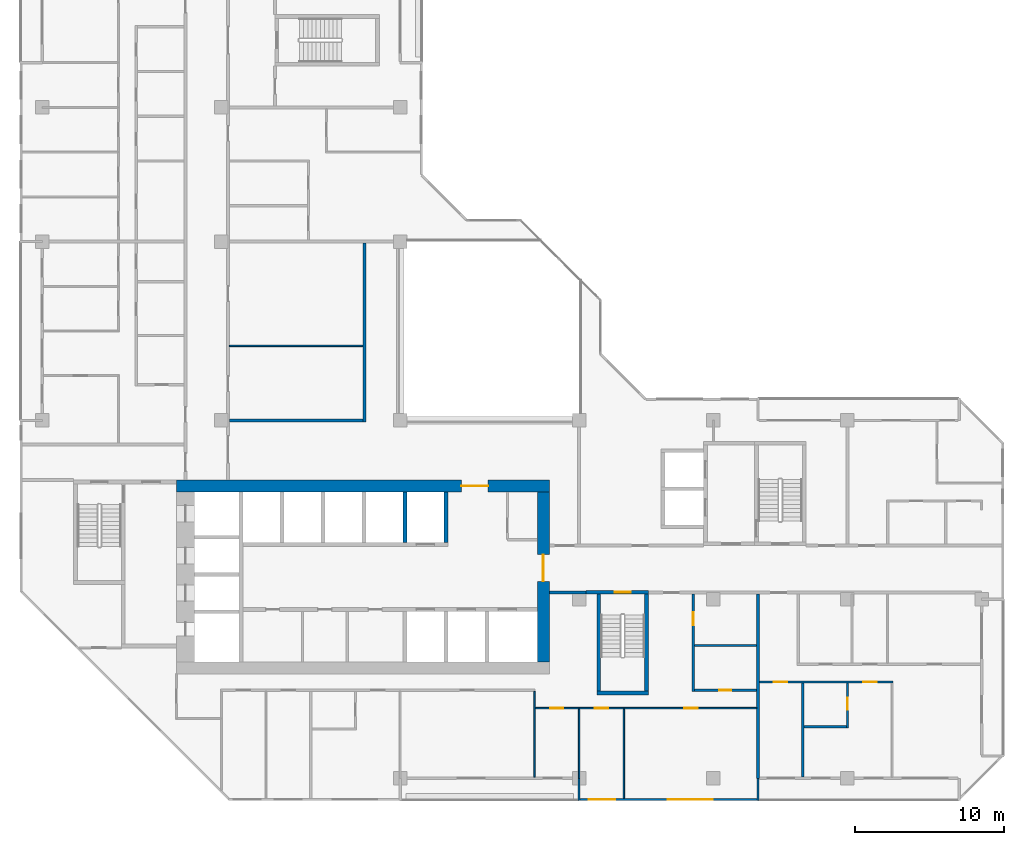
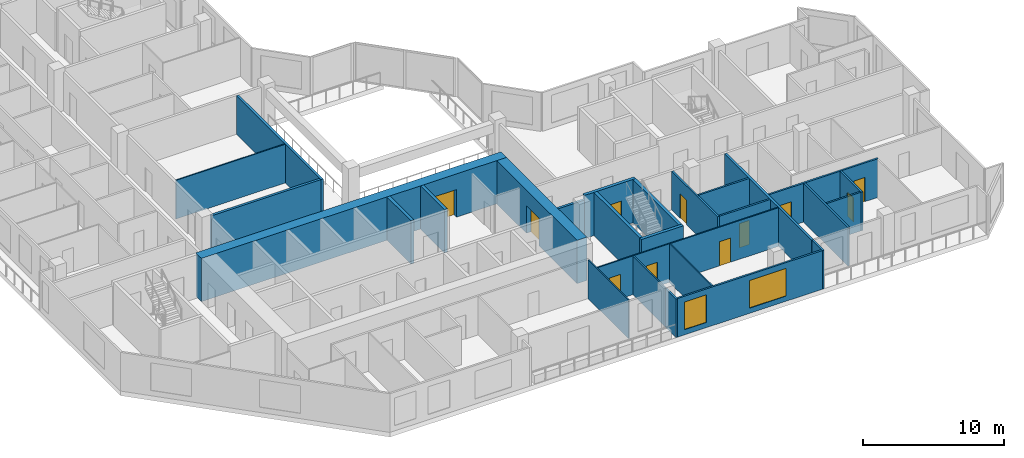
# One storey, part 6 of 15: 27 walls, 11 doors, 2 windows, 13 openings.
"""IFC4 building model written with IfcOpenShell, lengths in metres."""

from ifc_helpers import new_model, si_unit, direction, frame, frame_2d, origin, place, context, subcontext, project, spatial, rectangle, extrude, material, layer, layer_set, type_object, element, fill, save


model = new_model("IFC4")

# Units and contexts
model_context = context("Model", 3, precision=1e-05, world=origin(), true_north=direction((0.0, 1.0)))
body_context = subcontext(model_context, "Body", "Model", "MODEL_VIEW")
ifc_project = project(units=[si_unit("LENGTHUNIT", "METRE"), si_unit("AREAUNIT", "SQUARE_METRE"), si_unit("VOLUMEUNIT", "CUBIC_METRE"), si_unit("PLANEANGLEUNIT", "RADIAN"), si_unit("MASSUNIT", "GRAM", prefix="KILO")], contexts=[model_context])

# Site, building, storey
site_placement = place(None, origin())
site = spatial("IfcSite", under=ifc_project, at=site_placement, CompositionType="ELEMENT")
building_placement = place(site_placement, origin())
building = spatial("IfcBuilding", under=site, at=building_placement, Name="Chenar Terraces", CompositionType="ELEMENT")
storey_placement = place(building_placement, frame((0.0, 0.0, 176.14990234375)))
storey = spatial("IfcBuildingStorey", under=building, at=storey_placement, Name="L40", CompositionType="ELEMENT", Elevation=176.14990234375)

# Walls
ifc_material_1 = material(Name="Concrete C60/75", Category="concrete")
ifc_layer_1 = layer(ifc_material_1, 0.25)
ifc_layer_set_1 = layer_set([ifc_layer_1], Name="Concrete C60/75")
wall_type_1 = type_object("IfcWallType", Name="Core wall 250 Concrete C60/75", PredefinedType="SHEAR", material=ifc_layer_set_1)
for number, where, z_axis, x_axis, name in (
    (1, (24.324951171875, 15.800048828125, 0.0), (0.0, 0.0, 1.0), (0.0, 1.0, 0.0), "Core wall NS3 L40"),
    (2, (27.074951171875, 15.800048828125, 0.0), (0.0, 0.0, 1.0), (0.0, 1.0, 0.0), "Core wall NE L40"),
):
    element("IfcWall", number, at=place(storey_placement, frame(where, z_axis=z_axis, x_axis=x_axis)), inside=storey, type_object=wall_type_1, Name=name, PredefinedType="SHEAR", context=body_context, shape_type="SweptSolid", body=[
        extrude(rectangle(XDim=3.39990234375, YDim=0.25, at=frame_2d((1.699951171875, 0.0))), origin(), (0.0, 0.0, 1.0), 3.75),
    ])
wall_1_placement = place(storey_placement, frame((37.199951171875, 5.72509765625, 0.0), z_axis=(0.0, 0.0, 1.0), x_axis=(1.0, 0.0, 0.0)))
element("IfcWall", 3, at=wall_1_placement, inside=storey, type_object=wall_type_1, Name="Core wall ST2_S L40", PredefinedType="SHEAR", context=body_context, shape_type="SweptSolid", body=[
    extrude(rectangle(XDim=3.449951171875, YDim=0.25, at=frame_2d((1.72509765625, 0.0))), origin(), (0.0, 0.0, 1.0), 3.75),
])

# Wall, opening, door
wall_2_placement = place(storey_placement, frame((36.449951171875, 12.47509765625, 0.0), z_axis=(0.0, 0.0, 1.0), x_axis=(1.0, 0.0, 0.0)))
wall_2 = element("IfcWall", 4, at=wall_2_placement, inside=storey, type_object=wall_type_1, Name="Core wall ST2_N L40", PredefinedType="SHEAR", context=body_context, shape_type="SweptSolid", body=[
    extrude(rectangle(XDim=4.199951171875, YDim=0.25, at=frame_2d((2.10009765625, 0.0))), origin(), (0.0, 0.0, 1.0), 3.75),
])
opening_1_placement = place(wall_2_placement, frame((1.925048828125, 0.0, 0.0)))
opening_1 = element("IfcOpeningElement", 5, at=opening_1_placement, cuts=wall_2, Name="Opening DL40-C7", PredefinedType="OPENING", context=body_context, shape_type="SweptSolid", body=[
    extrude(rectangle(XDim=1.10009765625, YDim=2.199951171875, at=frame_2d((0.550048828125, 1.10009765625))), frame((0.0, 0.135009765625, 0.0), z_axis=(0.0, -1.0, 0.0), x_axis=(1.0, 0.0, 0.0)), (0.0, 0.0, 1.0), 0.27001953125),
])
ifc_material_2 = material(Name="Steel-framed fire-resisting door leaf", Category="steel")
door_type_1 = type_object("IfcDoorType", Name="Stair fire door FD60 1100 x 2200", OperationType="SINGLE_SWING_LEFT", PredefinedType="DOOR", material=ifc_material_2)
door_1_placement = place(opening_1_placement, frame((1.10009765625, 0.0, 0.0), z_axis=(0.0, 0.0, 1.0), x_axis=(-1.0, 0.0, 0.0)))
door_1 = element("IfcDoor", 6, at=door_1_placement, inside=storey, type_object=door_type_1, Name="Stair door DL40-C7", OperationType="SINGLE_SWING_RIGHT", OverallHeight=2.199951171875, OverallWidth=1.10009765625, PredefinedType="DOOR", context=body_context, shape_type="SweptSolid", body=[
    extrude(rectangle(XDim=1.10009765625, YDim=2.199951171875, at=frame_2d((0.550048828125, 1.10009765625))), frame((0.0, 0.02490234375, 0.0), z_axis=(0.0, -1.0, 0.0), x_axis=(1.0, 0.0, 0.0)), (0.0, 0.0, 1.0), 0.050048828125),
])
fill(opening_1, door_1)

# Walls
for number, where, z_axis, x_axis, name in (
    (7, (37.324951171875, 5.85009765625, 0.0), (0.0, 0.0, 1.0), (0.0, 1.0, 0.0), "Core wall ST2_W L40"),
    (8, (40.52490234375, 5.85009765625, 0.0), (0.0, 0.0, 1.0), (0.0, 1.0, 0.0), "Core wall ST2_E L40"),
):
    element("IfcWall", number, at=place(storey_placement, frame(where, z_axis=z_axis, x_axis=x_axis)), inside=storey, type_object=wall_type_1, Name=name, PredefinedType="SHEAR", context=body_context, shape_type="SweptSolid", body=[
        extrude(rectangle(XDim=6.5, YDim=0.25, at=frame_2d((3.25, 0.0))), origin(), (0.0, 0.0, 1.0), 3.75),
    ])

# Wall, opening, door
ifc_material_3 = material(Name="Concrete C60/75", Category="concrete")
ifc_layer_2 = layer(ifc_material_3, 0.800048828125)
ifc_layer_set_2 = layer_set([ifc_layer_2], Name="Concrete C60/75")
wall_type_2 = type_object("IfcWallType", Name="Core wall 800 Concrete C60/75", PredefinedType="SHEAR", material=ifc_layer_set_2)
wall_3_placement = place(storey_placement, frame((9.0, 19.60009765625, 0.0), z_axis=(0.0, 0.0, 1.0), x_axis=(1.0, 0.0, 0.0)))
wall_3 = element("IfcWall", 9, at=wall_3_placement, inside=storey, type_object=wall_type_2, Name="Core wall N L40", PredefinedType="SHEAR", context=body_context, shape_type="SweptSolid", body=[
    extrude(rectangle(XDim=25.0, YDim=0.800048828125, at=frame_2d((12.5, 0.0))), origin(), (0.0, 0.0, 1.0), 3.75),
])
opening_2_placement = place(wall_3_placement, frame((19.10009765625, 0.0, 0.0)))
opening_2 = element("IfcOpeningElement", 10, at=opening_2_placement, cuts=wall_3, Name="Opening DL40-C2", PredefinedType="OPENING", context=body_context, shape_type="SweptSolid", body=[
    extrude(rectangle(XDim=1.800048828125, YDim=2.39990234375, at=frame_2d((0.89990234375, 1.199951171875))), frame((0.0, 0.409912109375, 0.0), z_axis=(0.0, -1.0, 0.0), x_axis=(1.0, 0.0, 0.0)), (0.0, 0.0, 1.0), 0.820068359375),
])
ifc_material_4 = material(Name="Steel-framed fire-resisting door leaf", Category="steel")
door_type_2 = type_object("IfcDoorType", Name="Core entrance double fire door FD60 1800 x 2400", OperationType="DOUBLE_DOOR_SINGLE_SWING", PredefinedType="DOOR", material=ifc_material_4)
door_2_placement = place(opening_2_placement, frame((1.800048828125, 0.0, 0.0), z_axis=(0.0, 0.0, 1.0), x_axis=(-1.0, 0.0, 0.0)))
door_2 = element("IfcDoor", 11, at=door_2_placement, inside=storey, type_object=door_type_2, Name="Core door DL40-C2", OperationType="DOUBLE_DOOR_SINGLE_SWING", OverallHeight=2.39990234375, OverallWidth=1.800048828125, PredefinedType="DOOR", context=body_context, shape_type="SweptSolid", body=[
    extrude(rectangle(XDim=1.800048828125, YDim=2.39990234375, at=frame_2d((0.89990234375, 1.199951171875))), frame((0.0, 0.02490234375, 0.0), z_axis=(0.0, -1.0, 0.0), x_axis=(1.0, 0.0, 0.0)), (0.0, 0.0, 1.0), 0.050048828125),
])
fill(opening_2, door_2)

wall_4_placement = place(storey_placement, frame((33.60009765625, 7.800048828125, 0.0), z_axis=(0.0, 0.0, 1.0), x_axis=(0.0, 1.0, 0.0)))
wall_4 = element("IfcWall", 12, at=wall_4_placement, inside=storey, type_object=wall_type_2, Name="Core wall E L40", PredefinedType="SHEAR", context=body_context, shape_type="SweptSolid", body=[
    extrude(rectangle(XDim=11.39990234375, YDim=0.800048828125, at=frame_2d((5.699951171875, 0.0))), origin(), (0.0, 0.0, 1.0), 3.75),
])
opening_3_placement = place(wall_4_placement, frame((5.39990234375, 0.0, 0.0)))
opening_3 = element("IfcOpeningElement", 13, at=opening_3_placement, cuts=wall_4, Name="Opening DL40-C1", PredefinedType="OPENING", context=body_context, shape_type="SweptSolid", body=[
    extrude(rectangle(XDim=1.800048828125, YDim=2.39990234375, at=frame_2d((0.89990234375, 1.199951171875))), frame((0.0, 0.409912109375, 0.0), z_axis=(0.0, -1.0, 0.0), x_axis=(1.0, 0.0, 0.0)), (0.0, 0.0, 1.0), 0.820068359375),
])
door_3_placement = place(opening_3_placement, origin())
door_3 = element("IfcDoor", 14, at=door_3_placement, inside=storey, type_object=door_type_2, Name="Core door DL40-C1", OperationType="DOUBLE_DOOR_SINGLE_SWING", OverallHeight=2.39990234375, OverallWidth=1.800048828125, PredefinedType="DOOR", context=body_context, shape_type="SweptSolid", body=[
    extrude(rectangle(XDim=1.800048828125, YDim=2.39990234375, at=frame_2d((0.89990234375, 1.199951171875))), frame((0.0, 0.02490234375, 0.0), z_axis=(0.0, -1.0, 0.0), x_axis=(1.0, 0.0, 0.0)), (0.0, 0.0, 1.0), 0.050048828125),
])
fill(opening_3, door_3)

# Walls
ifc_material_5 = material(Name="Gypsum board on steel studs with fire boards", Category="steel")
ifc_layer_3 = layer(ifc_material_5, 0.199951171875)
ifc_layer_set_3 = layer_set([ifc_layer_3], Name="Gypsum board on steel studs with fire boards")
wall_type_3 = type_object("IfcWallType", Name="Corridor wall 200", PredefinedType="PARTITIONING", material=ifc_layer_set_3)
wall_5_placement = place(storey_placement, frame((12.550048828125, 24.0, 0.0), z_axis=(0.0, 0.0, 1.0), x_axis=(1.0, 0.0, 0.0)))
element("IfcWall", 15, at=wall_5_placement, inside=storey, type_object=wall_type_3, Name="Partition L40-036", PredefinedType="PARTITIONING", context=body_context, shape_type="SweptSolid", body=[
    extrude(rectangle(XDim=8.949951171875, YDim=0.199951171875, at=frame_2d((4.47509765625, 0.0))), origin(), (0.0, 0.0, 1.0), 3.35009765625),
])
wall_6_placement = place(storey_placement, frame((21.60009765625, 23.89990234375, 0.0), z_axis=(0.0, 0.0, 1.0), x_axis=(0.0, 1.0, 0.0)))
element("IfcWall", 16, at=wall_6_placement, inside=storey, type_object=wall_type_3, Name="Partition L40-057", PredefinedType="PARTITIONING", context=body_context, shape_type="SweptSolid", body=[
    extrude(rectangle(XDim=12.0, YDim=0.199951171875, at=frame_2d((6.0, 0.0))), origin(), (0.0, 0.0, 1.0), 3.35009765625),
])
wall_7_placement = place(storey_placement, frame((34.0, 12.449951171875, 0.0), z_axis=(0.0, 0.0, 1.0), x_axis=(1.0, 0.0, 0.0)))
element("IfcWall", 17, at=wall_7_placement, inside=storey, type_object=wall_type_3, Name="Partition L40-061", PredefinedType="PARTITIONING", context=body_context, shape_type="SweptSolid", body=[
    extrude(rectangle(XDim=2.450927734375, YDim=0.199951171875, at=frame_2d((1.2255859375, 0.0))), origin(), (0.0, 0.0, 1.0), 3.35009765625),
])

# Wall, openings, windows
ifc_material_6 = material(Name="Aluminium framed glazing", Category="aluminium")
ifc_layer_4 = layer(ifc_material_6, 0.14990234375)
ifc_layer_set_4 = layer_set([ifc_layer_4], Name="Aluminium framed glazing")
wall_type_4 = type_object("IfcWallType", Name="Glazed flush facade wall 150", PredefinedType="SOLIDWALL", material=ifc_layer_set_4)
wall_8_placement = place(storey_placement, frame((36.074951171875, -1.425048828125, 0.0), z_axis=(0.0, 0.0, 1.0), x_axis=(1.0, 0.0, 0.0)))
wall_8 = element("IfcWall", 18, at=wall_8_placement, inside=storey, type_object=wall_type_4, Name="Glazed flush facade wall", PredefinedType="SOLIDWALL", context=body_context, shape_type="SweptSolid", body=[
    extrude(rectangle(XDim=11.85009765625, YDim=0.14990234375, at=frame_2d((5.925048828125, 0.0))), origin(), (0.0, 0.0, 1.0), 3.35009765625),
])
opening_4_placement = place(wall_8_placement, frame((0.5625, 0.0, 0.449951171875)))
opening_4 = element("IfcOpeningElement", 19, at=opening_4_placement, cuts=wall_8, Name="Opening W180x240", PredefinedType="OPENING", context=body_context, shape_type="SweptSolid", body=[
    extrude(rectangle(XDim=1.800048828125, YDim=2.39990234375, at=frame_2d((0.89990234375, 1.199951171875))), frame((0.0, 0.0849609375, 0.0), z_axis=(0.0, -1.0, 0.0), x_axis=(1.0, 0.0, 0.0)), (0.0, 0.0, 1.0), 0.169921875),
])
opening_5_placement = place(wall_8_placement, frame((5.887451171875, 0.0, 0.449951171875)))
opening_5 = element("IfcOpeningElement", 20, at=opening_5_placement, cuts=wall_8, Name="Opening W300x240", PredefinedType="OPENING", context=body_context, shape_type="SweptSolid", body=[
    extrude(rectangle(XDim=3.0, YDim=2.39990234375, at=frame_2d((1.5, 1.199951171875))), frame((0.0, 0.0849609375, 0.0), z_axis=(0.0, -1.0, 0.0), x_axis=(1.0, 0.0, 0.0)), (0.0, 0.0, 1.0), 0.169921875),
])
ifc_material_7 = material(Name="Low emissivity double glazing, aluminium frame", Category="aluminium")
window_type_1 = type_object("IfcWindowType", Name="Fixed light 1800 x 2400", PartitioningType="SINGLE_PANEL", PredefinedType="WINDOW", material=ifc_material_7)
window_1_placement = place(opening_4_placement, origin())
window_1 = element("IfcWindow", 21, at=window_1_placement, inside=storey, type_object=window_type_1, Name="Window", OverallHeight=2.39990234375, OverallWidth=1.800048828125, PartitioningType="SINGLE_PANEL", PredefinedType="WINDOW", context=body_context, shape_type="SweptSolid", body=[
    extrude(rectangle(XDim=1.800048828125, YDim=2.39990234375, at=frame_2d((0.89990234375, 1.199951171875))), frame((0.0, 0.030029296875, 0.0), z_axis=(0.0, -1.0, 0.0), x_axis=(1.0, 0.0, 0.0)), (0.0, 0.0, 1.0), 0.06005859375),
])
fill(opening_4, window_1)
ifc_material_8 = material(Name="Low emissivity double glazing, aluminium frame", Category="aluminium")
window_type_2 = type_object("IfcWindowType", Name="Fixed light 3000 x 2400", PartitioningType="SINGLE_PANEL", PredefinedType="WINDOW", material=ifc_material_8)
window_2_placement = place(opening_5_placement, origin())
window_2 = element("IfcWindow", 22, at=window_2_placement, inside=storey, type_object=window_type_2, Name="Window", OverallHeight=2.39990234375, OverallWidth=3.0, PartitioningType="SINGLE_PANEL", PredefinedType="WINDOW", context=body_context, shape_type="SweptSolid", body=[
    extrude(rectangle(XDim=3.0, YDim=2.39990234375, at=frame_2d((1.5, 1.199951171875))), frame((0.0, 0.030029296875, 0.0), z_axis=(0.0, -1.0, 0.0), x_axis=(1.0, 0.0, 0.0)), (0.0, 0.0, 1.0), 0.06005859375),
])
fill(opening_5, window_2)

# Walls
ifc_material_9 = material(Name="Gypsum board on steel studs", Category="steel")
ifc_layer_5 = layer(ifc_material_9, 0.10009765625)
ifc_layer_set_5 = layer_set([ifc_layer_5], Name="Gypsum board on steel studs")
wall_type_5 = type_object("IfcWallType", Name="Gypsum partition 100", PredefinedType="PARTITIONING", material=ifc_layer_set_5)
wall_9_placement = place(storey_placement, frame((12.550048828125, 29.0, 0.0), z_axis=(0.0, 0.0, 1.0), x_axis=(1.0, 0.0, 0.0)))
element("IfcWall", 23, at=wall_9_placement, inside=storey, type_object=wall_type_5, Name="Partition L40-037", PredefinedType="PARTITIONING", context=body_context, shape_type="SweptSolid", body=[
    extrude(rectangle(XDim=8.949951171875, YDim=0.10009765625, at=frame_2d((4.47509765625, 0.0))), origin(), (0.0, 0.0, 1.0), 3.35009765625),
])
wall_10_placement = place(storey_placement, frame((33.0, 0.073974609375, 0.0), z_axis=(0.0, 0.0, 1.0), x_axis=(0.0, 1.0, 0.0)))
element("IfcWall", 24, at=wall_10_placement, inside=storey, type_object=wall_type_5, Name="Partition L40-059", PredefinedType="PARTITIONING", context=body_context, shape_type="SweptSolid", body=[
    extrude(rectangle(XDim=5.7509765625, YDim=0.10009765625, at=frame_2d((2.87548828125, 0.0))), origin(), (0.0, 0.0, 1.0), 3.35009765625),
])

# Wall, openings, doors
wall_11_placement = place(storey_placement, frame((33.050048828125, 4.699951171875, 0.0), z_axis=(0.0, 0.0, 1.0), x_axis=(1.0, 0.0, 0.0)))
wall_11 = element("IfcWall", 25, at=wall_11_placement, inside=storey, type_object=wall_type_5, Name="Partition L40-060", PredefinedType="PARTITIONING", context=body_context, shape_type="SweptSolid", body=[
    extrude(rectangle(XDim=14.849853515625, YDim=0.10009765625, at=frame_2d((7.4248046875, 0.0))), origin(), (0.0, 0.0, 1.0), 3.35009765625),
])
opening_6_placement = place(wall_11_placement, frame((1.0, 0.0, 0.0)))
opening_6 = element("IfcOpeningElement", 26, at=opening_6_placement, cuts=wall_11, Name="Opening DL40-47", PredefinedType="OPENING", context=body_context, shape_type="SweptSolid", body=[
    extrude(rectangle(XDim=0.89990234375, YDim=2.10009765625, at=frame_2d((0.449951171875, 1.050048828125))), frame((0.0, 0.06005859375, 0.0), z_axis=(0.0, -1.0, 0.0), x_axis=(1.0, 0.0, 0.0)), (0.0, 0.0, 1.0), 0.1201171875),
])
opening_7_placement = place(wall_11_placement, frame((4.0, 0.0, 0.0)))
opening_7 = element("IfcOpeningElement", 27, at=opening_7_placement, cuts=wall_11, Name="Opening DL40-48", PredefinedType="OPENING", context=body_context, shape_type="SweptSolid", body=[
    extrude(rectangle(XDim=0.89990234375, YDim=2.10009765625, at=frame_2d((0.449951171875, 1.050048828125))), frame((0.0, 0.06005859375, 0.0), z_axis=(0.0, -1.0, 0.0), x_axis=(1.0, 0.0, 0.0)), (0.0, 0.0, 1.0), 0.1201171875),
])
opening_8_placement = place(wall_11_placement, frame((10.0, 0.0, 0.0)))
opening_8 = element("IfcOpeningElement", 28, at=opening_8_placement, cuts=wall_11, Name="Opening DL40-56", PredefinedType="OPENING", context=body_context, shape_type="SweptSolid", body=[
    extrude(rectangle(XDim=0.89990234375, YDim=2.10009765625, at=frame_2d((0.449951171875, 1.050048828125))), frame((0.0, 0.06005859375, 0.0), z_axis=(0.0, -1.0, 0.0), x_axis=(1.0, 0.0, 0.0)), (0.0, 0.0, 1.0), 0.1201171875),
])
ifc_material_10 = material(Name="Veneered timber door leaf", Category="wood")
door_type_3 = type_object("IfcDoorType", Name="Door 900 x 2100", OperationType="SINGLE_SWING_LEFT", PredefinedType="DOOR", material=ifc_material_10)
door_4_placement = place(opening_6_placement, frame((0.89990234375, 0.0, 0.0), z_axis=(0.0, 0.0, 1.0), x_axis=(-1.0, 0.0, 0.0)))
door_4 = element("IfcDoor", 29, at=door_4_placement, inside=storey, type_object=door_type_3, Name="Door DL40-47", OperationType="SINGLE_SWING_LEFT", OverallHeight=2.10009765625, OverallWidth=0.89990234375, PredefinedType="DOOR", context=body_context, shape_type="SweptSolid", body=[
    extrude(rectangle(XDim=0.89990234375, YDim=2.10009765625, at=frame_2d((0.449951171875, 1.050048828125))), frame((0.0, 0.02490234375, 0.0), z_axis=(0.0, -1.0, 0.0), x_axis=(1.0, 0.0, 0.0)), (0.0, 0.0, 1.0), 0.050048828125),
])
fill(opening_6, door_4)
door_5_placement = place(opening_7_placement, frame((0.89990234375, 0.0, 0.0), z_axis=(0.0, 0.0, 1.0), x_axis=(-1.0, 0.0, 0.0)))
door_5 = element("IfcDoor", 30, at=door_5_placement, inside=storey, type_object=door_type_3, Name="Door DL40-48", OperationType="SINGLE_SWING_LEFT", OverallHeight=2.10009765625, OverallWidth=0.89990234375, PredefinedType="DOOR", context=body_context, shape_type="SweptSolid", body=[
    extrude(rectangle(XDim=0.89990234375, YDim=2.10009765625, at=frame_2d((0.449951171875, 1.050048828125))), frame((0.0, 0.02490234375, 0.0), z_axis=(0.0, -1.0, 0.0), x_axis=(1.0, 0.0, 0.0)), (0.0, 0.0, 1.0), 0.050048828125),
])
fill(opening_7, door_5)
door_6_placement = place(opening_8_placement, frame((0.89990234375, 0.0, 0.0), z_axis=(0.0, 0.0, 1.0), x_axis=(-1.0, 0.0, 0.0)))
door_6 = element("IfcDoor", 31, at=door_6_placement, inside=storey, type_object=door_type_3, Name="Door DL40-56", OperationType="SINGLE_SWING_LEFT", OverallHeight=2.10009765625, OverallWidth=0.89990234375, PredefinedType="DOOR", context=body_context, shape_type="SweptSolid", body=[
    extrude(rectangle(XDim=0.89990234375, YDim=2.10009765625, at=frame_2d((0.449951171875, 1.050048828125))), frame((0.0, 0.02490234375, 0.0), z_axis=(0.0, -1.0, 0.0), x_axis=(1.0, 0.0, 0.0)), (0.0, 0.0, 1.0), 0.050048828125),
])
fill(opening_8, door_6)

# Walls
wall_12_placement = place(storey_placement, frame((36.0, 0.0, 0.0), z_axis=(0.0, 0.0, 1.0), x_axis=(0.0, 1.0, 0.0)))
element("IfcWall", 32, at=wall_12_placement, inside=storey, type_object=wall_type_5, Name="Partition L40-063", PredefinedType="PARTITIONING", context=body_context, shape_type="SweptSolid", body=[
    extrude(rectangle(XDim=4.64990234375, YDim=0.10009765625, at=frame_2d((2.324951171875, 0.0))), origin(), (0.0, 0.0, 1.0), 3.35009765625),
])
wall_13_placement = place(storey_placement, frame((39.0, -1.35009765625, 0.0), z_axis=(0.0, 0.0, 1.0), x_axis=(0.0, 1.0, 0.0)))
element("IfcWall", 33, at=wall_13_placement, inside=storey, type_object=wall_type_5, Name="Partition L40-065", PredefinedType="PARTITIONING", context=body_context, shape_type="SweptSolid", body=[
    extrude(rectangle(XDim=6.0, YDim=0.10009765625, at=frame_2d((3.0, 0.0))), origin(), (0.0, 0.0, 1.0), 3.35009765625),
])
ifc_material_11 = material(Name="Terracotta cladding on insulated backing", Category="masonry")
ifc_layer_6 = layer(ifc_material_11, 0.14990234375)
ifc_layer_set_6 = layer_set([ifc_layer_6], Name="Terracotta cladding on insulated backing")
wall_type_6 = type_object("IfcWallType", Name="Loggia return wall 150", PredefinedType="SOLIDWALL", material=ifc_layer_set_6)
for number, where, z_axis, x_axis, name in (
    (34, (36.0, -1.5, 0.0), (0.0, 0.0, 1.0), (0.0, 1.0, 0.0), "Loggia return wall"),
    (35, (48.0, -1.5, 0.0), (0.0, 0.0, 1.0), (0.0, 1.0, 0.0), "Loggia return wall"),
):
    element("IfcWall", number, at=place(storey_placement, frame(where, z_axis=z_axis, x_axis=x_axis)), inside=storey, type_object=wall_type_6, Name=name, PredefinedType="SOLIDWALL", context=body_context, shape_type="SweptSolid", body=[
        extrude(rectangle(XDim=1.5, YDim=0.14990234375, at=frame_2d((0.75, 0.0))), origin(), (0.0, 0.0, 1.0), 3.35009765625),
    ])
ifc_material_12 = material(Name="Twin gypsum board on steel studs with mineral wool", Category="steel")
ifc_layer_7 = layer(ifc_material_12, 0.199951171875)
ifc_layer_set_7 = layer_set([ifc_layer_7], Name="Twin gypsum board on steel studs with mineral wool")
wall_type_7 = type_object("IfcWallType", Name="Unit demising wall 200", PredefinedType="PARTITIONING", material=ifc_layer_set_7)
wall_14_placement = place(storey_placement, frame((48.0, 0.0, 0.0), z_axis=(0.0, 0.0, 1.0), x_axis=(0.0, 1.0, 0.0)))
element("IfcWall", 36, at=wall_14_placement, inside=storey, type_object=wall_type_7, Name="Partition L40-071", PredefinedType="PARTITIONING", context=body_context, shape_type="SweptSolid", body=[
    extrude(rectangle(XDim=12.35009765625, YDim=0.199951171875, at=frame_2d((6.175048828125, 0.0))), origin(), (0.0, 0.0, 1.0), 3.35009765625),
])

# Wall, opening, door
ifc_material_13 = material(Name="Moisture-resistant gypsum board on steel studs", Category="steel")
ifc_layer_8 = layer(ifc_material_13, 0.14990234375)
ifc_layer_set_8 = layer_set([ifc_layer_8], Name="Moisture-resistant gypsum board on steel studs")
wall_type_8 = type_object("IfcWallType", Name="Wet-room partition 150", PredefinedType="PARTITIONING", material=ifc_layer_set_8)
wall_15_placement = place(storey_placement, frame((43.64990234375, 5.824951171875, 0.0), z_axis=(0.0, 0.0, 1.0), x_axis=(0.0, 1.0, 0.0)))
wall_15 = element("IfcWall", 37, at=wall_15_placement, inside=storey, type_object=wall_type_8, Name="Partition L40-067", PredefinedType="PARTITIONING", context=body_context, shape_type="SweptSolid", body=[
    extrude(rectangle(XDim=6.525146484375, YDim=0.14990234375, at=frame_2d((3.2626953125, 0.0))), origin(), (0.0, 0.0, 1.0), 3.35009765625),
])
opening_9_placement = place(wall_15_placement, frame((4.425048828125, 0.0, 0.0)))
opening_9 = element("IfcOpeningElement", 38, at=opening_9_placement, cuts=wall_15, Name="Opening DL40-54", PredefinedType="OPENING", context=body_context, shape_type="SweptSolid", body=[
    extrude(rectangle(XDim=0.89990234375, YDim=2.10009765625, at=frame_2d((0.449951171875, 1.050048828125))), frame((0.0, 0.0849609375, 0.0), z_axis=(0.0, -1.0, 0.0), x_axis=(1.0, 0.0, 0.0)), (0.0, 0.0, 1.0), 0.169921875),
])
door_7_placement = place(opening_9_placement, frame((0.89990234375, 0.0, 0.0), z_axis=(0.0, 0.0, 1.0), x_axis=(-1.0, 0.0, 0.0)))
door_7 = element("IfcDoor", 39, at=door_7_placement, inside=storey, type_object=door_type_3, Name="Door DL40-54", OperationType="SINGLE_SWING_LEFT", OverallHeight=2.10009765625, OverallWidth=0.89990234375, PredefinedType="DOOR", context=body_context, shape_type="SweptSolid", body=[
    extrude(rectangle(XDim=0.89990234375, YDim=2.10009765625, at=frame_2d((0.449951171875, 1.050048828125))), frame((0.0, 0.02490234375, 0.0), z_axis=(0.0, -1.0, 0.0), x_axis=(1.0, 0.0, 0.0)), (0.0, 0.0, 1.0), 0.050048828125),
])
fill(opening_9, door_7)

wall_16_placement = place(storey_placement, frame((43.72509765625, 5.89990234375, 0.0), z_axis=(0.0, 0.0, 1.0), x_axis=(1.0, 0.0, 0.0)))
wall_16 = element("IfcWall", 40, at=wall_16_placement, inside=storey, type_object=wall_type_8, Name="Partition L40-068", PredefinedType="PARTITIONING", context=body_context, shape_type="SweptSolid", body=[
    extrude(rectangle(XDim=4.1748046875, YDim=0.14990234375, at=frame_2d((2.08740234375, 0.0))), origin(), (0.0, 0.0, 1.0), 3.35009765625),
])
opening_10_placement = place(wall_16_placement, frame((1.675048828125, 0.0, 0.0)))
opening_10 = element("IfcOpeningElement", 41, at=opening_10_placement, cuts=wall_16, Name="Opening DL40-44", PredefinedType="OPENING", context=body_context, shape_type="SweptSolid", body=[
    extrude(rectangle(XDim=0.800048828125, YDim=2.10009765625, at=frame_2d((0.39990234375, 1.050048828125))), frame((0.0, 0.0849609375, 0.0), z_axis=(0.0, -1.0, 0.0), x_axis=(1.0, 0.0, 0.0)), (0.0, 0.0, 1.0), 0.169921875),
])
ifc_material_14 = material(Name="Veneered timber door leaf", Category="wood")
door_type_4 = type_object("IfcDoorType", Name="Door 800 x 2100", OperationType="SINGLE_SWING_LEFT", PredefinedType="DOOR", material=ifc_material_14)
door_8_placement = place(opening_10_placement, origin())
door_8 = element("IfcDoor", 42, at=door_8_placement, inside=storey, type_object=door_type_4, Name="Door DL40-44", OperationType="SINGLE_SWING_LEFT", OverallHeight=2.10009765625, OverallWidth=0.800048828125, PredefinedType="DOOR", context=body_context, shape_type="SweptSolid", body=[
    extrude(rectangle(XDim=0.800048828125, YDim=2.10009765625, at=frame_2d((0.39990234375, 1.050048828125))), frame((0.0, 0.02490234375, 0.0), z_axis=(0.0, -1.0, 0.0), x_axis=(1.0, 0.0, 0.0)), (0.0, 0.0, 1.0), 0.050048828125),
])
fill(opening_10, door_8)

# Wall
wall_17_placement = place(storey_placement, frame((43.72509765625, 8.89990234375, 0.0), z_axis=(0.0, 0.0, 1.0), x_axis=(1.0, 0.0, 0.0)))
element("IfcWall", 43, at=wall_17_placement, inside=storey, type_object=wall_type_8, Name="Partition L40-069", PredefinedType="PARTITIONING", context=body_context, shape_type="SweptSolid", body=[
    extrude(rectangle(XDim=4.1748046875, YDim=0.14990234375, at=frame_2d((2.08740234375, 0.0))), origin(), (0.0, 0.0, 1.0), 3.35009765625),
])

# Wall, openings, doors
wall_18_placement = place(storey_placement, frame((48.10009765625, 6.449951171875, 0.0), z_axis=(0.0, 0.0, 1.0), x_axis=(1.0, 0.0, 0.0)))
wall_18 = element("IfcWall", 44, at=wall_18_placement, inside=storey, type_object=wall_type_8, Name="Partition L40-072", PredefinedType="PARTITIONING", context=body_context, shape_type="SweptSolid", body=[
    extrude(rectangle(XDim=8.949951171875, YDim=0.14990234375, at=frame_2d((4.47509765625, 0.0))), origin(), (0.0, 0.0, 1.0), 3.35009765625),
])
opening_11_placement = place(wall_18_placement, frame((0.949951171875, 0.0, 0.0)))
opening_11 = element("IfcOpeningElement", 45, at=opening_11_placement, cuts=wall_18, Name="Opening DL40-9", PredefinedType="OPENING", context=body_context, shape_type="SweptSolid", body=[
    extrude(rectangle(XDim=0.89990234375, YDim=2.10009765625, at=frame_2d((0.449951171875, 1.050048828125))), frame((0.0, 0.0849609375, 0.0), z_axis=(0.0, -1.0, 0.0), x_axis=(1.0, 0.0, 0.0)), (0.0, 0.0, 1.0), 0.169921875),
])
opening_12_placement = place(wall_18_placement, frame((6.949951171875, 0.0, 0.0)))
opening_12 = element("IfcOpeningElement", 46, at=opening_12_placement, cuts=wall_18, Name="Opening DL40-10", PredefinedType="OPENING", context=body_context, shape_type="SweptSolid", body=[
    extrude(rectangle(XDim=0.89990234375, YDim=2.10009765625, at=frame_2d((0.449951171875, 1.050048828125))), frame((0.0, 0.0849609375, 0.0), z_axis=(0.0, -1.0, 0.0), x_axis=(1.0, 0.0, 0.0)), (0.0, 0.0, 1.0), 0.169921875),
])
door_9_placement = place(opening_11_placement, frame((0.89990234375, 0.0, 0.0), z_axis=(0.0, 0.0, 1.0), x_axis=(-1.0, 0.0, 0.0)))
door_9 = element("IfcDoor", 47, at=door_9_placement, inside=storey, type_object=door_type_3, Name="Door DL40-9", OperationType="SINGLE_SWING_LEFT", OverallHeight=2.10009765625, OverallWidth=0.89990234375, PredefinedType="DOOR", context=body_context, shape_type="SweptSolid", body=[
    extrude(rectangle(XDim=0.89990234375, YDim=2.10009765625, at=frame_2d((0.449951171875, 1.050048828125))), frame((0.0, 0.02490234375, 0.0), z_axis=(0.0, -1.0, 0.0), x_axis=(1.0, 0.0, 0.0)), (0.0, 0.0, 1.0), 0.050048828125),
])
fill(opening_11, door_9)
door_10_placement = place(opening_12_placement, frame((0.89990234375, 0.0, 0.0), z_axis=(0.0, 0.0, 1.0), x_axis=(-1.0, 0.0, 0.0)))
door_10 = element("IfcDoor", 48, at=door_10_placement, inside=storey, type_object=door_type_3, Name="Door DL40-10", OperationType="SINGLE_SWING_LEFT", OverallHeight=2.10009765625, OverallWidth=0.89990234375, PredefinedType="DOOR", context=body_context, shape_type="SweptSolid", body=[
    extrude(rectangle(XDim=0.89990234375, YDim=2.10009765625, at=frame_2d((0.449951171875, 1.050048828125))), frame((0.0, 0.02490234375, 0.0), z_axis=(0.0, -1.0, 0.0), x_axis=(1.0, 0.0, 0.0)), (0.0, 0.0, 1.0), 0.050048828125),
])
fill(opening_12, door_10)

# Walls
wall_19_placement = place(storey_placement, frame((51.0, 0.073974609375, 0.0), z_axis=(0.0, 0.0, 1.0), x_axis=(0.0, 1.0, 0.0)))
element("IfcWall", 49, at=wall_19_placement, inside=storey, type_object=wall_type_8, Name="Partition L40-075", PredefinedType="PARTITIONING", context=body_context, shape_type="SweptSolid", body=[
    extrude(rectangle(XDim=6.301025390625, YDim=0.14990234375, at=frame_2d((3.150390625, 0.0))), origin(), (0.0, 0.0, 1.0), 3.35009765625),
])
wall_20_placement = place(storey_placement, frame((51.074951171875, 3.449951171875, 0.0), z_axis=(0.0, 0.0, 1.0), x_axis=(1.0, 0.0, 0.0)))
element("IfcWall", 50, at=wall_20_placement, inside=storey, type_object=wall_type_8, Name="Partition L40-076", PredefinedType="PARTITIONING", context=body_context, shape_type="SweptSolid", body=[
    extrude(rectangle(XDim=2.85009765625, YDim=0.14990234375, at=frame_2d((1.425048828125, 0.0))), origin(), (0.0, 0.0, 1.0), 3.35009765625),
])

# Wall, opening, door
wall_21_placement = place(storey_placement, frame((54.0, 3.375, 0.0), z_axis=(0.0, 0.0, 1.0), x_axis=(0.0, 1.0, 0.0)))
wall_21 = element("IfcWall", 51, at=wall_21_placement, inside=storey, type_object=wall_type_8, Name="Partition L40-078", PredefinedType="PARTITIONING", context=body_context, shape_type="SweptSolid", body=[
    extrude(rectangle(XDim=3.0, YDim=0.14990234375, at=frame_2d((1.5, 0.0))), origin(), (0.0, 0.0, 1.0), 3.35009765625),
])
opening_13_placement = place(wall_21_placement, frame((1.22509765625, 0.0, 0.0)))
opening_13 = element("IfcOpeningElement", 52, at=opening_13_placement, cuts=wall_21, Name="Opening DL40-11", PredefinedType="OPENING", context=body_context, shape_type="SweptSolid", body=[
    extrude(rectangle(XDim=0.800048828125, YDim=2.10009765625, at=frame_2d((0.39990234375, 1.050048828125))), frame((0.0, 0.0849609375, 0.0), z_axis=(0.0, -1.0, 0.0), x_axis=(1.0, 0.0, 0.0)), (0.0, 0.0, 1.0), 0.169921875),
])
door_11_placement = place(opening_13_placement, origin())
door_11 = element("IfcDoor", 53, at=door_11_placement, inside=storey, type_object=door_type_4, Name="Door DL40-11", OperationType="SINGLE_SWING_RIGHT", OverallHeight=2.10009765625, OverallWidth=0.800048828125, PredefinedType="DOOR", context=body_context, shape_type="SweptSolid", body=[
    extrude(rectangle(XDim=0.800048828125, YDim=2.10009765625, at=frame_2d((0.39990234375, 1.050048828125))), frame((0.0, 0.02490234375, 0.0), z_axis=(0.0, -1.0, 0.0), x_axis=(1.0, 0.0, 0.0)), (0.0, 0.0, 1.0), 0.050048828125),
])
fill(opening_13, door_11)

save(model, "model.ifc")
